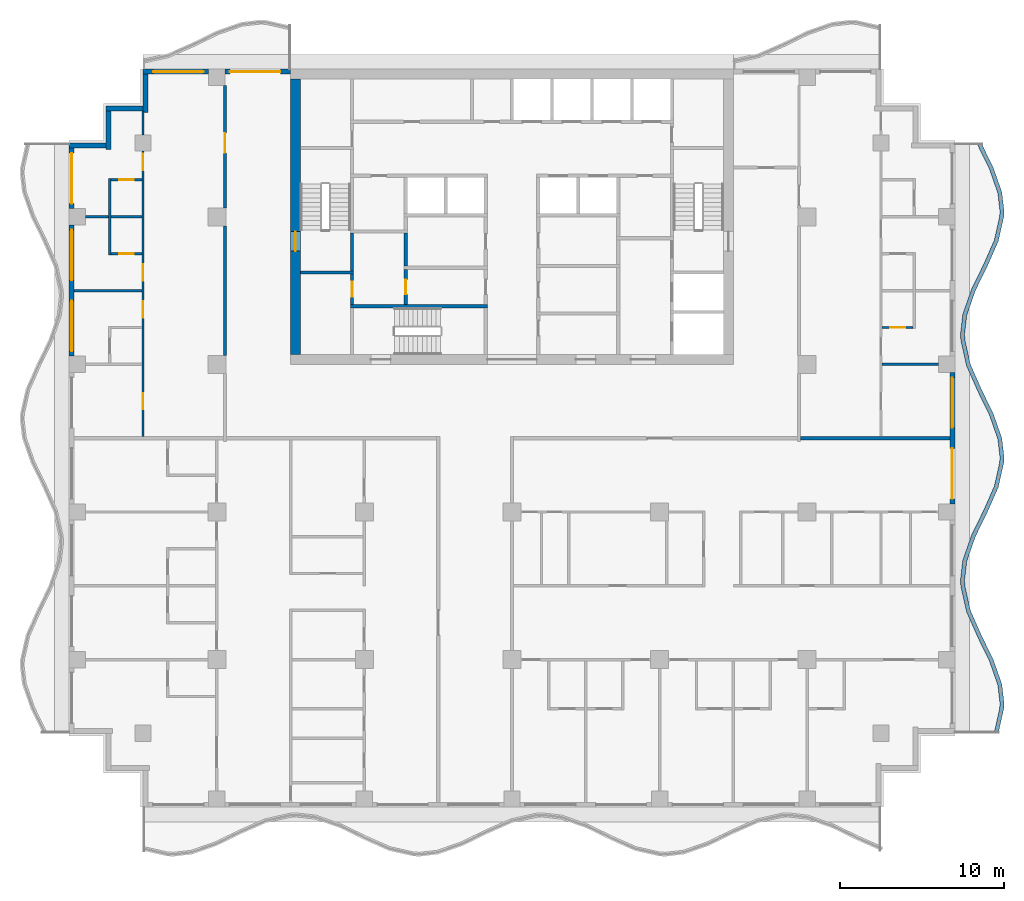
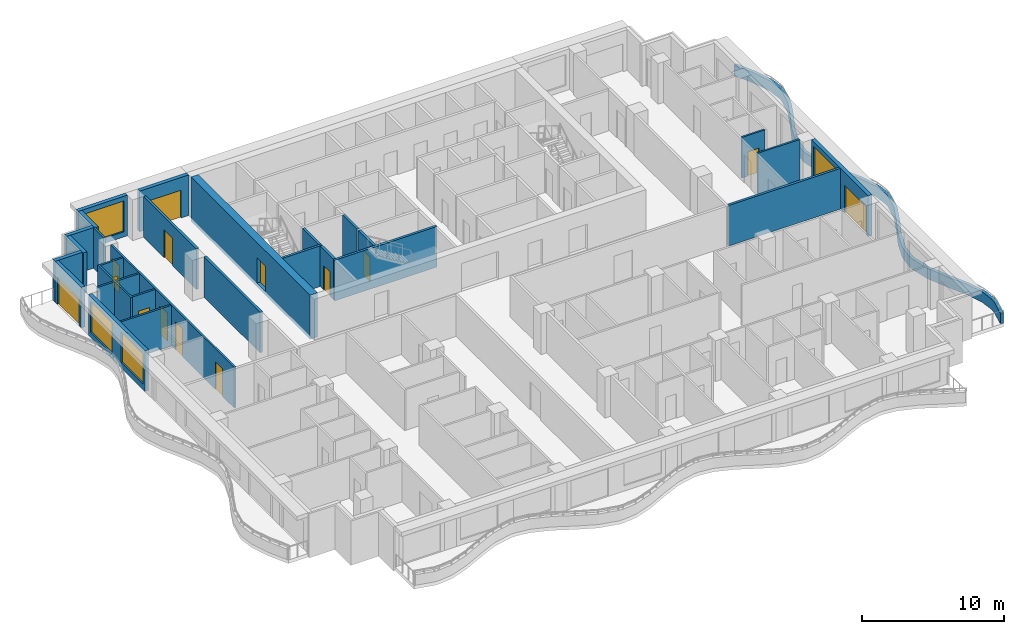
# One storey, part 5 of 12: 30 walls, 14 doors, 4 windows, 18 openings.
"""IFC4 building model written with IfcOpenShell, lengths in metres."""

import ifcopenshell
import ifcopenshell.guid

model = None  # the IFC model being written
_history = None  # IfcOwnerHistory: only IFC2X3 demands one
_inside = {}  # id of a spatial element -> (the spatial element, [elements in it])
_under = {}  # id of a project, library or spatial element -> (it, [spatial elements below it])
_declared = {}  # id of a project -> (the project, [libraries it declares])
_typed = {}  # id of a type object -> (the type object, [elements of that type])
_made_of = {}  # id of a material, layer set ... -> (it, [elements and type objects made of it])


def new_model(schema):
    """Start an empty IFC model of exactly this schema.

    Asked for "IFC4X3", IfcOpenShell would pick the latest addendum, in which some entities
    have other attributes; the version numbers below select the first issue.
    IFC2X3 requires an IfcOwnerHistory on every rooted entity: one is made here for all.
    """
    global model, _history
    if schema == "IFC4X3":
        model = ifcopenshell.file(schema_version=(4, 3, 0, 0))
    else:
        model = ifcopenshell.file(schema=schema)
    _inside.clear()
    _under.clear()
    _declared.clear()
    _typed.clear()
    _made_of.clear()
    _history = None
    if model.schema == "IFC2X3":
        org = make("IfcOrganization", Name="unknown")
        user = make(
            "IfcPersonAndOrganization",
            ThePerson=make("IfcPerson", FamilyName="unknown"),
            TheOrganization=org,
        )
        app = make(
            "IfcApplication",
            ApplicationDeveloper=org,
            Version="unknown",
            ApplicationFullName="unknown",
            ApplicationIdentifier="unknown",
        )
        _history = make(
            "IfcOwnerHistory",
            OwningUser=user,
            OwningApplication=app,
            ChangeAction="ADDED",
            CreationDate=0,
        )
    return model


def make(cls, **values):
    """One entity of the class cls with the attributes given. An attribute that is None is left unset."""
    return model.create_entity(
        cls, **{name: value for name, value in values.items() if value is not None}
    )


def rooted(cls, **values):
    """An entity with a GlobalId (a new one), such as an element, a storey or a relation."""
    return make(cls, GlobalId=ifcopenshell.guid.new(), OwnerHistory=_history, **values)


def si_unit(unit_type, name, prefix=None):
    """IfcSIUnit, for example si_unit("LENGTHUNIT", "METRE", prefix="MILLI")."""
    return make("IfcSIUnit", UnitType=unit_type, Prefix=prefix, Name=name)


def assignment(units):
    """IfcUnitAssignment: the units of a project."""
    return None if units is None else make("IfcUnitAssignment", Units=units)


def point(xyz):
    """IfcCartesianPoint."""
    return None if xyz is None else make("IfcCartesianPoint", Coordinates=xyz)


def direction(xyz):
    """IfcDirection."""
    return None if xyz is None else make("IfcDirection", DirectionRatios=xyz)


def frame(location, z_axis=None, x_axis=None):
    """IfcAxis2Placement3D, a coordinate frame: its origin and axes. An axis left out is left unset."""
    return make(
        "IfcAxis2Placement3D",
        Location=point(location),
        Axis=direction(z_axis),
        RefDirection=direction(x_axis),
    )


def frame_2d(location, x_axis=None):
    """IfcAxis2Placement2D, a coordinate frame in the plane: its origin and x axis."""
    return make(
        "IfcAxis2Placement2D", Location=point(location), RefDirection=direction(x_axis)
    )


def origin():
    """The frame at (0, 0, 0) with its axes left unset."""
    return frame((0.0, 0.0, 0.0))


def place(relative_to, where):
    """IfcLocalPlacement: puts the frame where relative to a parent placement (None: the world)."""
    return make(
        "IfcLocalPlacement", PlacementRelTo=relative_to, RelativePlacement=where
    )


def context(
    kind, dimensions, precision=None, world=None, true_north=None, identifier=None
):
    """IfcGeometricRepresentationContext, for example the 3D "Model" context."""
    return make(
        "IfcGeometricRepresentationContext",
        ContextIdentifier=identifier,
        ContextType=kind,
        CoordinateSpaceDimension=dimensions,
        Precision=precision,
        WorldCoordinateSystem=world,
        TrueNorth=true_north,
    )


def subcontext(parent, identifier, kind, view, scale=None):
    """IfcGeometricRepresentationSubContext, for example "Body" below "Model"."""
    return make(
        "IfcGeometricRepresentationSubContext",
        ContextIdentifier=identifier,
        ContextType=kind,
        ParentContext=parent,
        TargetScale=scale,
        TargetView=view,
    )


def project(units=None, contexts=None):
    """IfcProject with its units and contexts."""
    return rooted(
        "IfcProject",
        Name="project",
        RepresentationContexts=contexts,
        UnitsInContext=assignment(units),
    )


def spatial(cls, under=None, at=None, **own):
    """A site, building, storey or space (cls), placed at a placement, below another one or the project."""
    s = rooted(cls, ObjectPlacement=at, **own)
    if under is not None:
        _under.setdefault(under.id(), (under, []))[1].append(s)
    return s


def polyline(points):
    """IfcPolyline through the points."""
    return make("IfcPolyline", Points=[point(p) for p in points])


def profile(cls, at=None, kind="AREA", **sizes):
    """A parametric profile (cls). Its sizes go by their IFC names, for example OverallWidth=200.0."""
    return make(cls, ProfileType=kind, Position=at, **sizes)


def rectangle(**sizes):
    """IfcRectangleProfileDef."""
    return profile("IfcRectangleProfileDef", **sizes)


def outline(outer, holes=None, kind="AREA"):
    """IfcArbitraryClosedProfileDef: a profile drawn as a closed curve; with holes, ...WithVoids."""
    if holes is None:
        return make("IfcArbitraryClosedProfileDef", ProfileType=kind, OuterCurve=outer)
    return make(
        "IfcArbitraryProfileDefWithVoids",
        ProfileType=kind,
        OuterCurve=outer,
        InnerCurves=holes,
    )


def extrude(swept, where, along, depth):
    """IfcExtrudedAreaSolid: the profile swept, set in the frame where, extruded along a direction by depth."""
    return make(
        "IfcExtrudedAreaSolid",
        SweptArea=swept,
        Position=where,
        ExtrudedDirection=direction(along),
        Depth=depth,
    )


def shape(context_of_items, identifier, shape_type, items):
    """IfcShapeRepresentation: the items that make up one representation, for example the "Body"."""
    return make(
        "IfcShapeRepresentation",
        ContextOfItems=context_of_items,
        RepresentationIdentifier=identifier,
        RepresentationType=shape_type,
        Items=items,
    )


def material(Name=None, Category=None):
    """IfcMaterial."""
    return make("IfcMaterial", Name=Name, Category=Category)


def layer(
    of_material, thickness, ventilated=None, Name=None, Category=None, Priority=None
):
    """IfcMaterialLayer: one layer of a wall or slab, of a material (None: an air gap)."""
    return make(
        "IfcMaterialLayer",
        Material=of_material,
        LayerThickness=thickness,
        IsVentilated=ventilated,
        Name=Name,
        Category=Category,
        Priority=Priority,
    )


def layer_set(layers, Name=None):
    """IfcMaterialLayerSet."""
    return make("IfcMaterialLayerSet", MaterialLayers=layers, LayerSetName=Name)


def made_of(thing, what):
    """Note that an element or type object is made of a material, layer set ...; save() writes the relation."""
    if what is not None:
        _made_of.setdefault(what.id(), (what, []))[1].append(thing)
    return thing


def type_object(cls, material=None, **own):
    """A type object (cls), such as IfcWallType, which elements share."""
    return made_of(rooted(cls, **own), material)


def element(
    cls,
    number,
    at=None,
    inside=None,
    cuts=None,
    type_object=None,
    material=None,
    context=None,
    identifier="Body",
    shape_type=None,
    held_by="IfcProductDefinitionShape",
    body=None,
    shapes=None,
    **own,
):
    """One element of the class cls, such as IfcWall. Its Tag is "e" and its number.

    at: its placement. inside: the storey or other place that contains it. cuts: it is an
    opening in that element (IfcRelVoidsElement). A single representation is given by context,
    identifier, shape_type and body (its items); several are given by shapes. held_by: the class
    of the entity that holds the representations. save() writes the other relations.
    """
    e = rooted(cls, Tag="e%d" % number, ObjectPlacement=at, **own)
    if body is not None:
        shapes = [shape(context, identifier, shape_type, body)]
    if shapes is not None:
        e.Representation = make(held_by, Representations=shapes)
    if inside is not None:
        _inside.setdefault(inside.id(), (inside, []))[1].append(e)
    if cuts is not None:
        rooted(
            "IfcRelVoidsElement", RelatingBuildingElement=cuts, RelatedOpeningElement=e
        )
    if type_object is not None:
        _typed.setdefault(type_object.id(), (type_object, []))[1].append(e)
    return made_of(e, material)


def fill(opening, filler):
    """IfcRelFillsElement: the door or window that sits in an opening."""
    return rooted(
        "IfcRelFillsElement",
        RelatingOpeningElement=opening,
        RelatedBuildingElement=filler,
    )


def aggregate(whole, parts):
    """IfcRelAggregates: a whole, such as a stair, and the parts it consists of."""
    return rooted("IfcRelAggregates", RelatingObject=whole, RelatedObjects=parts)


def save(model, path):
    """Write the relations noted so far, then the file.

    IfcRelAggregates (storeys below a building ...), IfcRelContainedInSpatialStructure (elements
    in a storey), IfcRelDefinesByType, IfcRelAssociatesMaterial and IfcRelDeclares: one each for
    every whole, place, type object, material and project.
    """
    for whole, parts in _under.values():
        aggregate(whole, parts)
    for where, things in _inside.values():
        rooted(
            "IfcRelContainedInSpatialStructure",
            RelatedElements=things,
            RelatingStructure=where,
        )
    for kind, things in _typed.values():
        rooted("IfcRelDefinesByType", RelatedObjects=things, RelatingType=kind)
    for what, things in _made_of.values():
        rooted("IfcRelAssociatesMaterial", RelatedObjects=things, RelatingMaterial=what)
    for by, libraries in _declared.values():
        rooted("IfcRelDeclares", RelatingContext=by, RelatedDefinitions=libraries)
    model.write(path)


model = new_model("IFC4")

# Units and contexts
model_context = context("Model", 3, precision=1e-05, world=origin(), true_north=direction((0.0, 1.0)))
body_context = subcontext(model_context, "Body", "Model", "MODEL_VIEW")
ifc_project = project(units=[si_unit("LENGTHUNIT", "METRE"), si_unit("AREAUNIT", "SQUARE_METRE"), si_unit("VOLUMEUNIT", "CUBIC_METRE"), si_unit("PLANEANGLEUNIT", "RADIAN"), si_unit("MASSUNIT", "GRAM", prefix="KILO")], contexts=[model_context])

# Site, building, storey
site_placement = place(None, origin())
site = spatial("IfcSite", under=ifc_project, at=site_placement, CompositionType="ELEMENT")
building_placement = place(site_placement, origin())
building = spatial("IfcBuilding", under=site, at=building_placement, Name="Orbiselva Terraces", CompositionType="ELEMENT")
storey_placement = place(building_placement, frame((0.0, 0.0, 214.8)))
storey = spatial("IfcBuildingStorey", under=building, at=storey_placement, Name="L54", CompositionType="ELEMENT", Elevation=214.8)

# Wall, opening, door
ifc_material_1 = material(Name="Concrete C80/95", Category="concrete")
ifc_layer_1 = layer(ifc_material_1, 0.6)
ifc_layer_set_1 = layer_set([ifc_layer_1], Name="Concrete C80/95")
wall_type_1 = type_object("IfcWallType", Name="CORE WALL 600", PredefinedType="SHEAR", material=ifc_layer_set_1)
wall_1_placement = place(storey_placement, frame((-13.2, 21.9, -0.3), z_axis=(0.0, 0.0, 1.0), x_axis=(0.0, -1.0, 0.0)))
wall_1 = element("IfcWall", 1, at=wall_1_placement, inside=storey, type_object=wall_type_1, Name="Core wall L54 west", PredefinedType="SHEAR", context=body_context, shape_type="SweptSolid", body=[
    extrude(rectangle(XDim=16.8, YDim=0.6, at=frame_2d((8.4, 0.0))), origin(), (0.0, 0.0, 1.0), 3.8),
])
opening_1_placement = place(wall_1_placement, frame((9.3, 0.0, 0.3)))
opening_1 = element("IfcOpeningElement", 2, at=opening_1_placement, cuts=wall_1, Name="Opening DS1200", PredefinedType="OPENING", context=body_context, shape_type="SweptSolid", body=[
    extrude(rectangle(XDim=1.2, YDim=2.2, at=frame_2d((0.6, 1.1))), frame((0.0, 0.31, 0.0), z_axis=(0.0, -1.0, 0.0), x_axis=(1.0, 0.0, 0.0)), (0.0, 0.0, 1.0), 0.62),
])
ifc_material_2 = material(Name="Steel fire door", Category="steel")
door_type_1 = type_object("IfcDoorType", Name="STAIR DOOR 1200", OperationType="NOTDEFINED", PredefinedType="DOOR", material=ifc_material_2)
door_1_placement = place(opening_1_placement, frame((1.2, 0.0, 0.0), z_axis=(0.0, 0.0, 1.0), x_axis=(-1.0, 0.0, 0.0)))
door_1 = element("IfcDoor", 3, at=door_1_placement, inside=storey, type_object=door_type_1, Name="L54 EXIT STAIR S1 door", OperationType="SINGLE_SWING_RIGHT", OverallHeight=2.2, OverallWidth=1.2, PredefinedType="DOOR", context=body_context, shape_type="SweptSolid", body=[
    extrude(rectangle(XDim=1.2, YDim=2.2, at=frame_2d((0.6, 1.1))), frame((0.0, 0.025, 0.0), z_axis=(0.0, -1.0, 0.0), x_axis=(1.0, 0.0, 0.0)), (0.0, 0.0, 1.0), 0.05),
])
fill(opening_1, door_1)

ifc_material_3 = material(Name="Masonry blockwork", Category="masonry")
ifc_layer_2 = layer(ifc_material_3, 0.2)
ifc_layer_set_2 = layer_set([ifc_layer_2], Name="Masonry blockwork")
wall_type_2 = type_object("IfcWallType", Name="CORE-WALL-PARTITION-200", PredefinedType="PARTITIONING", material=ifc_layer_set_2)
wall_2_placement = place(storey_placement, frame((-9.75, 8.15, 0.0), z_axis=(0.0, 0.0, 1.0), x_axis=(0.0, 1.0, 0.0)))
wall_2 = element("IfcWall", 4, at=wall_2_placement, inside=storey, type_object=wall_type_2, Name="L54 core wall 05", PredefinedType="PARTITIONING", context=body_context, shape_type="SweptSolid", body=[
    extrude(rectangle(XDim=1.85, YDim=0.2, at=frame_2d((0.925, 0.0))), origin(), (0.0, 0.0, 1.0), 3.5),
])
opening_2_placement = place(wall_2_placement, frame((0.475, 0.0, 0.0)))
opening_2 = element("IfcOpeningElement", 5, at=opening_2_placement, cuts=wall_2, Name="Opening DR900", PredefinedType="OPENING", context=body_context, shape_type="SweptSolid", body=[
    extrude(rectangle(XDim=0.9, YDim=2.1, at=frame_2d((0.45, 1.05))), frame((0.0, 0.11, 0.0), z_axis=(0.0, -1.0, 0.0), x_axis=(1.0, 0.0, 0.0)), (0.0, 0.0, 1.0), 0.22),
])
door_type_2 = type_object("IfcDoorType", Name="ROOM DOOR 900", OperationType="NOTDEFINED", PredefinedType="DOOR", material=ifc_material_2)
door_2_placement = place(opening_2_placement, origin())
door_2 = element("IfcDoor", 6, at=door_2_placement, inside=storey, type_object=door_type_2, Name="L54 CLEANERS STORE door", OperationType="SINGLE_SWING_RIGHT", OverallHeight=2.1, OverallWidth=0.9, PredefinedType="DOOR", context=body_context, shape_type="SweptSolid", body=[
    extrude(rectangle(XDim=0.9, YDim=2.1, at=frame_2d((0.45, 1.05))), frame((0.0, 0.025, 0.0), z_axis=(0.0, -1.0, 0.0), x_axis=(1.0, 0.0, 0.0)), (0.0, 0.0, 1.0), 0.05),
])
fill(opening_2, door_2)

wall_3_placement = place(storey_placement, frame((-6.475, 8.15, 0.0), z_axis=(0.0, 0.0, 1.0), x_axis=(0.0, 1.0, 0.0)))
wall_3 = element("IfcWall", 7, at=wall_3_placement, inside=storey, type_object=wall_type_2, Name="L54 core wall 14", PredefinedType="PARTITIONING", context=body_context, shape_type="SweptSolid", body=[
    extrude(rectangle(XDim=2.15, YDim=0.2, at=frame_2d((1.075, 0.0))), origin(), (0.0, 0.0, 1.0), 3.5),
])
opening_3_placement = place(wall_3_placement, frame((0.625, 0.0, 0.0)))
opening_3 = element("IfcOpeningElement", 8, at=opening_3_placement, cuts=wall_3, Name="Opening DR900", PredefinedType="OPENING", context=body_context, shape_type="SweptSolid", body=[
    extrude(rectangle(XDim=0.9, YDim=2.1, at=frame_2d((0.45, 1.05))), frame((0.0, 0.11, 0.0), z_axis=(0.0, -1.0, 0.0), x_axis=(1.0, 0.0, 0.0)), (0.0, 0.0, 1.0), 0.22),
])
door_3_placement = place(opening_3_placement, origin())
door_3 = element("IfcDoor", 9, at=door_3_placement, inside=storey, type_object=door_type_2, Name="L54 STAFF ROOM door", OperationType="SINGLE_SWING_LEFT", OverallHeight=2.1, OverallWidth=0.9, PredefinedType="DOOR", context=body_context, shape_type="SweptSolid", body=[
    extrude(rectangle(XDim=0.9, YDim=2.1, at=frame_2d((0.45, 1.05))), frame((0.0, 0.025, 0.0), z_axis=(0.0, -1.0, 0.0), x_axis=(1.0, 0.0, 0.0)), (0.0, 0.0, 1.0), 0.05),
])
fill(opening_3, door_3)

# Walls
wall_4_placement = place(storey_placement, frame((-6.475, 10.5, 0.0), z_axis=(0.0, 0.0, 1.0), x_axis=(0.0, 1.0, 0.0)))
element("IfcWall", 10, at=wall_4_placement, inside=storey, type_object=wall_type_2, Name="L54 core wall 16", PredefinedType="PARTITIONING", context=body_context, shape_type="SweptSolid", body=[
    extrude(rectangle(XDim=2.0, YDim=0.2, at=frame_2d((1.0, 0.0))), origin(), (0.0, 0.0, 1.0), 3.5),
])
ifc_material_4 = material(Name="Concrete C60/75", Category="concrete")
ifc_layer_3 = layer(ifc_material_4, 0.2)
ifc_layer_set_3 = layer_set([ifc_layer_3], Name="Concrete C60/75")
wall_type_3 = type_object("IfcWallType", Name="CORE-WALL-SHEAR-200", PredefinedType="SHEAR", material=ifc_layer_set_3)
wall_5_placement = place(storey_placement, frame((-12.9, 10.1, 0.0), z_axis=(0.0, 0.0, 1.0), x_axis=(1.0, 0.0, 0.0)))
element("IfcWall", 11, at=wall_5_placement, inside=storey, type_object=wall_type_3, Name="L54 core wall 01", PredefinedType="SHEAR", context=body_context, shape_type="SweptSolid", body=[
    extrude(rectangle(XDim=3.25, YDim=0.2, at=frame_2d((1.625, 0.0))), origin(), (0.0, 0.0, 1.0), 3.5),
])
wall_6_placement = place(storey_placement, frame((-9.85, 8.05, 0.0), z_axis=(0.0, 0.0, 1.0), x_axis=(1.0, 0.0, 0.0)))
element("IfcWall", 12, at=wall_6_placement, inside=storey, type_object=wall_type_3, Name="L54 core wall 04", PredefinedType="SHEAR", context=body_context, shape_type="SweptSolid", body=[
    extrude(rectangle(XDim=8.35, YDim=0.2, at=frame_2d((4.175, 0.0))), origin(), (0.0, 0.0, 1.0), 3.5),
])
wall_7_placement = place(storey_placement, frame((-9.75, 10.2, 0.0), z_axis=(0.0, 0.0, 1.0), x_axis=(0.0, 1.0, 0.0)))
element("IfcWall", 13, at=wall_7_placement, inside=storey, type_object=wall_type_3, Name="L54 core wall 06", PredefinedType="SHEAR", context=body_context, shape_type="SweptSolid", body=[
    extrude(rectangle(XDim=2.3, YDim=0.2, at=frame_2d((1.15, 0.0))), origin(), (0.0, 0.0, 1.0), 3.5),
])
ifc_material_5 = material(Name="Concrete C40/50", Category="concrete")
ifc_layer_4 = layer(ifc_material_5, 0.25)
ifc_layer_set_4 = layer_set([ifc_layer_4], Name="Concrete C40/50")
wall_type_4 = type_object("IfcWallType", Name="ENV-PLANTER-250x900", PredefinedType="USERDEFINED", material=ifc_layer_set_4)
wall_8_placement = place(storey_placement, origin())
element("IfcWall", 14, at=wall_8_placement, inside=storey, type_object=wall_type_4, Name="Balcony planter L54 E", ObjectType="PLANTER", PredefinedType="USERDEFINED", context=body_context, shape_type="SweptSolid", body=[
    extrude(outline(polyline([(29.648528, -18.0), (29.985226, -16.5), (30.0, -16.125), (29.869208, -15.0), (29.344789, -13.5), (28.612279, -12.0), (27.951472, -10.5), (27.614774, -9.0), (27.6, -8.625), (27.730792, -7.5), (28.255211, -6.0), (28.987721, -4.5), (29.648528, -3.0), (29.985226, -1.5), (30.0, -1.125), (29.869208, 0.0), (29.344789, 1.5), (28.612279, 3.0), (27.951472, 4.5), (27.614774, 6.0), (27.6, 6.375), (27.730792, 7.5), (28.255211, 9.0), (28.987721, 10.5), (29.648528, 12.0), (29.985226, 13.5), (30.0, 13.875), (29.869208, 15.0), (29.344789, 16.5), (28.612279, 18.0), (28.387634, 17.890297), (29.113667, 16.40356), (29.624078, 14.943629), (29.749429, 13.865428), (29.736315, 13.532565), (29.40993, 12.078508), (28.760919, 10.605286), (28.024089, 9.09644), (27.485662, 7.556371), (27.349429, 6.384572), (27.365863, 5.967435), (27.712874, 4.421492), (28.385477, 2.894714), (29.113667, 1.40356), (29.624078, -0.056371), (29.749429, -1.134572), (29.736315, -1.467435), (29.40993, -2.921492), (28.760919, -4.394714), (28.024089, -5.90356), (27.485662, -7.443629), (27.349429, -8.615428), (27.365863, -9.032565), (27.712874, -10.578508), (28.385477, -12.105286), (29.113667, -13.59644), (29.624078, -15.056371), (29.749429, -16.134572), (29.736315, -16.467435), (29.404598, -17.945246), (29.648528, -18.0)])), origin(), (0.0, 0.0, 1.0), 0.9),
])

# Wall, openings, door, window
ifc_material_6 = material(Name="Terracotta cladding on masonry backing", Category="masonry")
ifc_layer_5 = layer(ifc_material_6, 0.3)
ifc_layer_set_5 = layer_set([ifc_layer_5], Name="Terracotta cladding on masonry backing")
wall_type_5 = type_object("IfcWallType", Name="ENV-WALL-TERRACOTTA-300", PredefinedType="SOLIDWALL", material=ifc_layer_set_5)
wall_9_placement = place(storey_placement, frame((26.85, 4.0, 0.0), z_axis=(0.0, 0.0, 1.0), x_axis=(0.0, -1.0, 0.0)))
wall_9 = element("IfcWall", 15, at=wall_9_placement, inside=storey, type_object=wall_type_5, Name="Facade wall L54 E", PredefinedType="SOLIDWALL", context=body_context, shape_type="SweptSolid", body=[
    extrude(rectangle(XDim=8.0, YDim=0.3, at=frame_2d((4.0, 0.0))), origin(), (0.0, 0.0, 1.0), 3.5),
])
opening_4_placement = place(wall_9_placement, frame((4.625, 0.0, 0.0)))
opening_4 = element("IfcOpeningElement", 16, at=opening_4_placement, cuts=wall_9, Name="Opening Z4-C-E20", PredefinedType="OPENING", context=body_context, shape_type="SweptSolid", body=[
    extrude(rectangle(XDim=3.075, YDim=2.4, at=frame_2d((1.5375, 1.2))), frame((0.0, 0.16, 0.0), z_axis=(0.0, -1.0, 0.0), x_axis=(1.0, 0.0, 0.0)), (0.0, 0.0, 1.0), 0.32),
])
opening_5_placement = place(wall_9_placement, frame((0.3, 0.0, 0.45)))
opening_5 = element("IfcOpeningElement", 17, at=opening_5_placement, cuts=wall_9, Name="Opening WN15", PredefinedType="OPENING", context=body_context, shape_type="SweptSolid", body=[
    extrude(rectangle(XDim=3.075, YDim=2.65, at=frame_2d((1.5375, 1.325))), frame((0.0, 0.16, 0.0), z_axis=(0.0, -1.0, 0.0), x_axis=(1.0, 0.0, 0.0)), (0.0, 0.0, 1.0), 0.32),
])
ifc_material_7 = material(Name="Clear low-e glazing in aluminium frame", Category="aluminium")
door_type_3 = type_object("IfcDoorType", Name="BALCONY DOOR 3075 X 2400", OperationType="DOUBLE_DOOR_SLIDING", PredefinedType="DOOR", material=ifc_material_7)
door_4_placement = place(opening_4_placement, origin())
door_4 = element("IfcDoor", 18, at=door_4_placement, inside=storey, type_object=door_type_3, Name="Z4-C-E20", OperationType="SINGLE_SWING_LEFT", OverallHeight=2.4, OverallWidth=3.075, PredefinedType="DOOR", context=body_context, shape_type="SweptSolid", body=[
    extrude(rectangle(XDim=3.075, YDim=2.4, at=frame_2d((1.5375, 1.2))), frame((0.0, 0.025, 0.0), z_axis=(0.0, -1.0, 0.0), x_axis=(1.0, 0.0, 0.0)), (0.0, 0.0, 1.0), 0.05),
])
fill(opening_4, door_4)
window_type = type_object("IfcWindowType", Name="WINDOW 3075 X 2650 S450", PartitioningType="TRIPLE_PANEL_VERTICAL", PredefinedType="WINDOW", material=ifc_material_7)
window_1_placement = place(opening_5_placement, origin())
window_1 = element("IfcWindow", 19, at=window_1_placement, inside=storey, type_object=window_type, Name="Window L54 E", OverallHeight=2.65, OverallWidth=3.075, PartitioningType="SINGLE_PANEL", PredefinedType="WINDOW", context=body_context, shape_type="SweptSolid", body=[
    extrude(rectangle(XDim=3.075, YDim=2.65, at=frame_2d((1.5375, 1.325))), frame((0.0, 0.03, 0.0), z_axis=(0.0, -1.0, 0.0), x_axis=(1.0, 0.0, 0.0)), (0.0, 0.0, 1.0), 0.06),
])
fill(opening_5, window_1)

# Wall, opening, door
wall_10_placement = place(storey_placement, frame((-17.5, 22.35, 0.0), z_axis=(0.0, 0.0, 1.0), x_axis=(1.0, 0.0, 0.0)))
wall_10 = element("IfcWall", 20, at=wall_10_placement, inside=storey, type_object=wall_type_5, Name="Facade wall L54 NW", PredefinedType="SOLIDWALL", context=body_context, shape_type="SweptSolid", body=[
    extrude(rectangle(XDim=4.0, YDim=0.3, at=frame_2d((2.0, 0.0))), origin(), (0.0, 0.0, 1.0), 3.5),
])
opening_6_placement = place(wall_10_placement, frame((0.3, 0.0, 0.0)))
opening_6 = element("IfcOpeningElement", 21, at=opening_6_placement, cuts=wall_10, Name="Opening Z4-C-E16", PredefinedType="OPENING", context=body_context, shape_type="SweptSolid", body=[
    extrude(rectangle(XDim=3.075, YDim=2.4, at=frame_2d((1.5375, 1.2))), frame((0.0, 0.16, 0.0), z_axis=(0.0, -1.0, 0.0), x_axis=(1.0, 0.0, 0.0)), (0.0, 0.0, 1.0), 0.32),
])
door_5_placement = place(opening_6_placement, origin())
door_5 = element("IfcDoor", 22, at=door_5_placement, inside=storey, type_object=door_type_3, Name="Z4-C-E16", OperationType="SINGLE_SWING_LEFT", OverallHeight=2.4, OverallWidth=3.075, PredefinedType="DOOR", context=body_context, shape_type="SweptSolid", body=[
    extrude(rectangle(XDim=3.075, YDim=2.4, at=frame_2d((1.5375, 1.2))), frame((0.0, 0.025, 0.0), z_axis=(0.0, -1.0, 0.0), x_axis=(1.0, 0.0, 0.0)), (0.0, 0.0, 1.0), 0.05),
])
fill(opening_6, door_5)

# Wall, opening, window
wall_11_placement = place(storey_placement, frame((-22.5, 22.35, 0.0), z_axis=(0.0, 0.0, 1.0), x_axis=(1.0, 0.0, 0.0)))
wall_11 = element("IfcWall", 23, at=wall_11_placement, inside=storey, type_object=wall_type_5, Name="Facade wall L54 NW", PredefinedType="SOLIDWALL", context=body_context, shape_type="SweptSolid", body=[
    extrude(rectangle(XDim=4.0, YDim=0.3, at=frame_2d((2.0, 0.0))), origin(), (0.0, 0.0, 1.0), 3.5),
])
opening_7_placement = place(wall_11_placement, frame((0.625, 0.0, 0.45)))
opening_7 = element("IfcOpeningElement", 24, at=opening_7_placement, cuts=wall_11, Name="Opening WN15", PredefinedType="OPENING", context=body_context, shape_type="SweptSolid", body=[
    extrude(rectangle(XDim=3.075, YDim=2.65, at=frame_2d((1.5375, 1.325))), frame((0.0, 0.16, 0.0), z_axis=(0.0, -1.0, 0.0), x_axis=(1.0, 0.0, 0.0)), (0.0, 0.0, 1.0), 0.32),
])
window_2_placement = place(opening_7_placement, origin())
window_2 = element("IfcWindow", 25, at=window_2_placement, inside=storey, type_object=window_type, Name="Window L54 NW", OverallHeight=2.65, OverallWidth=3.075, PartitioningType="SINGLE_PANEL", PredefinedType="WINDOW", context=body_context, shape_type="SweptSolid", body=[
    extrude(rectangle(XDim=3.075, YDim=2.65, at=frame_2d((1.5375, 1.325))), frame((0.0, 0.03, 0.0), z_axis=(0.0, -1.0, 0.0), x_axis=(1.0, 0.0, 0.0)), (0.0, 0.0, 1.0), 0.06),
])
fill(opening_7, window_2)

# Walls
wall_12_placement = place(storey_placement, frame((-22.35, 19.85, 0.0), z_axis=(0.0, 0.0, 1.0), x_axis=(0.0, 1.0, 0.0)))
element("IfcWall", 26, at=wall_12_placement, inside=storey, type_object=wall_type_5, Name="Facade wall L54 STEP", PredefinedType="SOLIDWALL", context=body_context, shape_type="SweptSolid", body=[
    extrude(rectangle(XDim=2.35, YDim=0.3, at=frame_2d((1.175, 0.0))), origin(), (0.0, 0.0, 1.0), 3.5),
])
wall_13_placement = place(storey_placement, frame((-24.75, 20.1, 0.0), z_axis=(0.0, 0.0, 1.0), x_axis=(1.0, 0.0, 0.0)))
element("IfcWall", 27, at=wall_13_placement, inside=storey, type_object=wall_type_5, Name="Facade wall L54 STEP", PredefinedType="SOLIDWALL", context=body_context, shape_type="SweptSolid", body=[
    extrude(rectangle(XDim=2.25, YDim=0.3, at=frame_2d((1.125, 0.0))), origin(), (0.0, 0.0, 1.0), 3.5),
])
wall_14_placement = place(storey_placement, frame((-24.6, 17.6, 0.0), z_axis=(0.0, 0.0, 1.0), x_axis=(0.0, 1.0, 0.0)))
element("IfcWall", 28, at=wall_14_placement, inside=storey, type_object=wall_type_5, Name="Facade wall L54 STEP", PredefinedType="SOLIDWALL", context=body_context, shape_type="SweptSolid", body=[
    extrude(rectangle(XDim=2.35, YDim=0.3, at=frame_2d((1.175, 0.0))), origin(), (0.0, 0.0, 1.0), 3.5),
])
wall_15_placement = place(storey_placement, frame((-27.0, 17.85, 0.0), z_axis=(0.0, 0.0, 1.0), x_axis=(1.0, 0.0, 0.0)))
element("IfcWall", 29, at=wall_15_placement, inside=storey, type_object=wall_type_5, Name="Facade wall L54 STEP", PredefinedType="SOLIDWALL", context=body_context, shape_type="SweptSolid", body=[
    extrude(rectangle(XDim=2.25, YDim=0.3, at=frame_2d((1.125, 0.0))), origin(), (0.0, 0.0, 1.0), 3.5),
])

# Wall, opening, door
wall_16_placement = place(storey_placement, frame((-26.85, 14.0, 0.0), z_axis=(0.0, 0.0, 1.0), x_axis=(0.0, 1.0, 0.0)))
wall_16 = element("IfcWall", 30, at=wall_16_placement, inside=storey, type_object=wall_type_5, Name="Facade wall L54 W", PredefinedType="SOLIDWALL", context=body_context, shape_type="SweptSolid", body=[
    extrude(rectangle(XDim=3.7, YDim=0.3, at=frame_2d((1.85, 0.0))), origin(), (0.0, 0.0, 1.0), 3.5),
])
opening_8_placement = place(wall_16_placement, frame((0.3, 0.0, 0.0)))
opening_8 = element("IfcOpeningElement", 31, at=opening_8_placement, cuts=wall_16, Name="Opening Z4-C-E17", PredefinedType="OPENING", context=body_context, shape_type="SweptSolid", body=[
    extrude(rectangle(XDim=3.075, YDim=2.4, at=frame_2d((1.5375, 1.2))), frame((0.0, 0.16, 0.0), z_axis=(0.0, -1.0, 0.0), x_axis=(1.0, 0.0, 0.0)), (0.0, 0.0, 1.0), 0.32),
])
door_6_placement = place(opening_8_placement, origin())
door_6 = element("IfcDoor", 32, at=door_6_placement, inside=storey, type_object=door_type_3, Name="Z4-C-E17", OperationType="SINGLE_SWING_LEFT", OverallHeight=2.4, OverallWidth=3.075, PredefinedType="DOOR", context=body_context, shape_type="SweptSolid", body=[
    extrude(rectangle(XDim=3.075, YDim=2.4, at=frame_2d((1.5375, 1.2))), frame((0.0, 0.025, 0.0), z_axis=(0.0, -1.0, 0.0), x_axis=(1.0, 0.0, 0.0)), (0.0, 0.0, 1.0), 0.05),
])
fill(opening_8, door_6)

# Wall, openings, windows
wall_17_placement = place(storey_placement, frame((-26.85, 5.0, 0.0), z_axis=(0.0, 0.0, 1.0), x_axis=(0.0, 1.0, 0.0)))
wall_17 = element("IfcWall", 33, at=wall_17_placement, inside=storey, type_object=wall_type_5, Name="Facade wall L54 W", PredefinedType="SOLIDWALL", context=body_context, shape_type="SweptSolid", body=[
    extrude(rectangle(XDim=8.0, YDim=0.3, at=frame_2d((4.0, 0.0))), origin(), (0.0, 0.0, 1.0), 3.5),
])
opening_9_placement = place(wall_17_placement, frame((4.625, 0.0, 0.45)))
opening_9 = element("IfcOpeningElement", 34, at=opening_9_placement, cuts=wall_17, Name="Opening WN15", PredefinedType="OPENING", context=body_context, shape_type="SweptSolid", body=[
    extrude(rectangle(XDim=3.075, YDim=2.65, at=frame_2d((1.5375, 1.325))), frame((0.0, 0.16, 0.0), z_axis=(0.0, -1.0, 0.0), x_axis=(1.0, 0.0, 0.0)), (0.0, 0.0, 1.0), 0.32),
])
opening_10_placement = place(wall_17_placement, frame((0.3, 0.0, 0.45)))
opening_10 = element("IfcOpeningElement", 35, at=opening_10_placement, cuts=wall_17, Name="Opening WN15", PredefinedType="OPENING", context=body_context, shape_type="SweptSolid", body=[
    extrude(rectangle(XDim=3.075, YDim=2.65, at=frame_2d((1.5375, 1.325))), frame((0.0, 0.16, 0.0), z_axis=(0.0, -1.0, 0.0), x_axis=(1.0, 0.0, 0.0)), (0.0, 0.0, 1.0), 0.32),
])
window_3_placement = place(opening_9_placement, origin())
window_3 = element("IfcWindow", 36, at=window_3_placement, inside=storey, type_object=window_type, Name="Window L54 W", OverallHeight=2.65, OverallWidth=3.075, PartitioningType="SINGLE_PANEL", PredefinedType="WINDOW", context=body_context, shape_type="SweptSolid", body=[
    extrude(rectangle(XDim=3.075, YDim=2.65, at=frame_2d((1.5375, 1.325))), frame((0.0, 0.03, 0.0), z_axis=(0.0, -1.0, 0.0), x_axis=(1.0, 0.0, 0.0)), (0.0, 0.0, 1.0), 0.06),
])
fill(opening_9, window_3)
window_4_placement = place(opening_10_placement, origin())
window_4 = element("IfcWindow", 37, at=window_4_placement, inside=storey, type_object=window_type, Name="Window L54 W", OverallHeight=2.65, OverallWidth=3.075, PartitioningType="SINGLE_PANEL", PredefinedType="WINDOW", context=body_context, shape_type="SweptSolid", body=[
    extrude(rectangle(XDim=3.075, YDim=2.65, at=frame_2d((1.5375, 1.325))), frame((0.0, 0.03, 0.0), z_axis=(0.0, -1.0, 0.0), x_axis=(1.0, 0.0, 0.0)), (0.0, 0.0, 1.0), 0.06),
])
fill(opening_10, window_4)

# Wall
ifc_material_8 = material(Name="Plasterboard on steel stud partition", Category="steel")
ifc_layer_6 = layer(ifc_material_8, 0.2)
ifc_layer_set_6 = layer_set([ifc_layer_6], Name="Plasterboard on steel stud partition")
wall_type_6 = type_object("IfcWallType", Name="UNIT-ENTRANCE-WALL-200", PredefinedType="PARTITIONING", material=ifc_layer_set_6)
wall_18_placement = place(storey_placement, frame((-17.5, 5.05, 0.0), z_axis=(0.0, 0.0, 1.0), x_axis=(0.0, 1.0, 0.0)))
element("IfcWall", 38, at=wall_18_placement, inside=storey, type_object=wall_type_6, Name="PARTITION L54-060", PredefinedType="PARTITIONING", context=body_context, shape_type="SweptSolid", body=[
    extrude(rectangle(XDim=7.9, YDim=0.2, at=frame_2d((3.95, 0.0))), origin(), (0.0, 0.0, 1.0), 3.5),
])

# Wall, opening, door
wall_19_placement = place(storey_placement, frame((-17.5, 14.05, 0.0), z_axis=(0.0, 0.0, 1.0), x_axis=(0.0, 1.0, 0.0)))
wall_19 = element("IfcWall", 39, at=wall_19_placement, inside=storey, type_object=wall_type_6, Name="PARTITION L54-061", PredefinedType="PARTITIONING", context=body_context, shape_type="SweptSolid", body=[
    extrude(rectangle(XDim=7.45, YDim=0.2, at=frame_2d((3.725, 0.0))), origin(), (0.0, 0.0, 1.0), 3.5),
])
opening_11_placement = place(wall_19_placement, frame((3.35, 0.0, 0.0)))
opening_11 = element("IfcOpeningElement", 40, at=opening_11_placement, cuts=wall_19, Name="Opening Z4-C-02", PredefinedType="OPENING", context=body_context, shape_type="SweptSolid", body=[
    extrude(rectangle(XDim=1.2, YDim=2.4, at=frame_2d((0.6, 1.2))), frame((0.0, 0.11, 0.0), z_axis=(0.0, -1.0, 0.0), x_axis=(1.0, 0.0, 0.0)), (0.0, 0.0, 1.0), 0.22),
])
ifc_material_9 = material(Name="Painted timber door leaf", Category="wood")
door_type_4 = type_object("IfcDoorType", Name="ENTRANCE DOOR 1200", OperationType="NOTDEFINED", PredefinedType="DOOR", material=ifc_material_9)
door_7_placement = place(opening_11_placement, origin())
door_7 = element("IfcDoor", 41, at=door_7_placement, inside=storey, type_object=door_type_4, Name="Z4-C-02", OperationType="SINGLE_SWING_RIGHT", OverallHeight=2.4, OverallWidth=1.2, PredefinedType="DOOR", context=body_context, shape_type="SweptSolid", body=[
    extrude(rectangle(XDim=1.2, YDim=2.4, at=frame_2d((0.6, 1.2))), frame((0.0, 0.025, 0.0), z_axis=(0.0, -1.0, 0.0), x_axis=(1.0, 0.0, 0.0)), (0.0, 0.0, 1.0), 0.05),
])
fill(opening_11, door_7)

# Wall
ifc_layer_7 = layer(ifc_material_8, 0.15)
ifc_layer_set_7 = layer_set([ifc_layer_7], Name="Plasterboard on steel stud partition")
wall_type_7 = type_object("IfcWallType", Name="UNIT-PARTITION-150", PredefinedType="PARTITIONING", material=ifc_layer_set_7)
wall_20_placement = place(storey_placement, frame((22.575, 4.5, 0.0), z_axis=(0.0, 0.0, 1.0), x_axis=(1.0, 0.0, 0.0)))
element("IfcWall", 42, at=wall_20_placement, inside=storey, type_object=wall_type_7, Name="PARTITION L54-035", PredefinedType="PARTITIONING", context=body_context, shape_type="SweptSolid", body=[
    extrude(rectangle(XDim=3.425, YDim=0.15, at=frame_2d((1.7125, 0.0))), origin(), (0.0, 0.0, 1.0), 3.5),
])

# Wall, opening, door
wall_21_placement = place(storey_placement, frame((22.575, 6.75, 0.0), z_axis=(0.0, 0.0, 1.0), x_axis=(1.0, 0.0, 0.0)))
wall_21 = element("IfcWall", 43, at=wall_21_placement, inside=storey, type_object=wall_type_7, Name="PARTITION L54-037", PredefinedType="PARTITIONING", context=body_context, shape_type="SweptSolid", body=[
    extrude(rectangle(XDim=1.875, YDim=0.15, at=frame_2d((0.9375, 0.0))), origin(), (0.0, 0.0, 1.0), 3.5),
])
opening_12_placement = place(wall_21_placement, frame((0.5, 0.0, 0.0)))
opening_12 = element("IfcOpeningElement", 44, at=opening_12_placement, cuts=wall_21, Name="Opening Z4-C-13", PredefinedType="OPENING", context=body_context, shape_type="SweptSolid", body=[
    extrude(rectangle(XDim=0.9, YDim=2.1, at=frame_2d((0.45, 1.05))), frame((0.0, 0.085, 0.0), z_axis=(0.0, -1.0, 0.0), x_axis=(1.0, 0.0, 0.0)), (0.0, 0.0, 1.0), 0.17),
])
door_type_5 = type_object("IfcDoorType", Name="BATH DOOR 900", OperationType="NOTDEFINED", PredefinedType="DOOR", material=ifc_material_9)
door_8_placement = place(opening_12_placement, origin())
door_8 = element("IfcDoor", 45, at=door_8_placement, inside=storey, type_object=door_type_5, Name="Z4-C-13", OperationType="SINGLE_SWING_RIGHT", OverallHeight=2.1, OverallWidth=0.9, PredefinedType="DOOR", context=body_context, shape_type="SweptSolid", body=[
    extrude(rectangle(XDim=0.9, YDim=2.1, at=frame_2d((0.45, 1.05))), frame((0.0, 0.025, 0.0), z_axis=(0.0, -1.0, 0.0), x_axis=(1.0, 0.0, 0.0)), (0.0, 0.0, 1.0), 0.05),
])
fill(opening_12, door_8)

# Wall
wall_22_placement = place(storey_placement, frame((-26.7, 9.0, 0.0), z_axis=(0.0, 0.0, 1.0), x_axis=(1.0, 0.0, 0.0)))
element("IfcWall", 46, at=wall_22_placement, inside=storey, type_object=wall_type_7, Name="PARTITION L54-038", PredefinedType="PARTITIONING", context=body_context, shape_type="SweptSolid", body=[
    extrude(rectangle(XDim=4.125, YDim=0.15, at=frame_2d((2.0625, 0.0))), origin(), (0.0, 0.0, 1.0), 3.5),
])

# Wall, opening, door
wall_23_placement = place(storey_placement, frame((-24.45, 11.25, 0.0), z_axis=(0.0, 0.0, 1.0), x_axis=(1.0, 0.0, 0.0)))
wall_23 = element("IfcWall", 47, at=wall_23_placement, inside=storey, type_object=wall_type_7, Name="PARTITION L54-041", PredefinedType="PARTITIONING", context=body_context, shape_type="SweptSolid", body=[
    extrude(rectangle(XDim=1.875, YDim=0.15, at=frame_2d((0.9375, 0.0))), origin(), (0.0, 0.0, 1.0), 3.5),
])
opening_13_placement = place(wall_23_placement, frame((0.5, 0.0, 0.0)))
opening_13 = element("IfcOpeningElement", 48, at=opening_13_placement, cuts=wall_23, Name="Opening Z4-C-07", PredefinedType="OPENING", context=body_context, shape_type="SweptSolid", body=[
    extrude(rectangle(XDim=0.9, YDim=2.1, at=frame_2d((0.45, 1.05))), frame((0.0, 0.085, 0.0), z_axis=(0.0, -1.0, 0.0), x_axis=(1.0, 0.0, 0.0)), (0.0, 0.0, 1.0), 0.17),
])
door_9_placement = place(opening_13_placement, origin())
door_9 = element("IfcDoor", 49, at=door_9_placement, inside=storey, type_object=door_type_5, Name="Z4-C-07", OperationType="SINGLE_SWING_RIGHT", OverallHeight=2.1, OverallWidth=0.9, PredefinedType="DOOR", context=body_context, shape_type="SweptSolid", body=[
    extrude(rectangle(XDim=0.9, YDim=2.1, at=frame_2d((0.45, 1.05))), frame((0.0, 0.025, 0.0), z_axis=(0.0, -1.0, 0.0), x_axis=(1.0, 0.0, 0.0)), (0.0, 0.0, 1.0), 0.05),
])
fill(opening_13, door_9)

# Walls
wall_24_placement = place(storey_placement, frame((-26.0, 13.5, 0.0), z_axis=(0.0, 0.0, 1.0), x_axis=(1.0, 0.0, 0.0)))
element("IfcWall", 50, at=wall_24_placement, inside=storey, type_object=wall_type_7, Name="PARTITION L54-043", PredefinedType="PARTITIONING", context=body_context, shape_type="SweptSolid", body=[
    extrude(rectangle(XDim=1.4, YDim=0.15, at=frame_2d((0.7, 0.0))), origin(), (0.0, 0.0, 1.0), 3.5),
])
wall_25_placement = place(storey_placement, frame((-24.45, 13.5, 0.0), z_axis=(0.0, 0.0, 1.0), x_axis=(1.0, 0.0, 0.0)))
element("IfcWall", 51, at=wall_25_placement, inside=storey, type_object=wall_type_7, Name="PARTITION L54-044", PredefinedType="PARTITIONING", context=body_context, shape_type="SweptSolid", body=[
    extrude(rectangle(XDim=1.875, YDim=0.15, at=frame_2d((0.9375, 0.0))), origin(), (0.0, 0.0, 1.0), 3.5),
])

# Wall, opening, door
wall_26_placement = place(storey_placement, frame((-22.575, 15.75, 0.0), z_axis=(0.0, 0.0, 1.0), x_axis=(-1.0, 0.0, 0.0)))
wall_26 = element("IfcWall", 52, at=wall_26_placement, inside=storey, type_object=wall_type_7, Name="PARTITION L54-046", PredefinedType="PARTITIONING", context=body_context, shape_type="SweptSolid", body=[
    extrude(rectangle(XDim=1.875, YDim=0.15, at=frame_2d((0.9375, 0.0))), origin(), (0.0, 0.0, 1.0), 3.5),
])
opening_14_placement = place(wall_26_placement, frame((0.475, 0.0, 0.0)))
opening_14 = element("IfcOpeningElement", 53, at=opening_14_placement, cuts=wall_26, Name="Opening Z4-C-09", PredefinedType="OPENING", context=body_context, shape_type="SweptSolid", body=[
    extrude(rectangle(XDim=0.9, YDim=2.1, at=frame_2d((0.45, 1.05))), frame((0.0, 0.085, 0.0), z_axis=(0.0, -1.0, 0.0), x_axis=(1.0, 0.0, 0.0)), (0.0, 0.0, 1.0), 0.17),
])
door_10_placement = place(opening_14_placement, origin())
door_10 = element("IfcDoor", 54, at=door_10_placement, inside=storey, type_object=door_type_5, Name="Z4-C-09", OperationType="SINGLE_SWING_LEFT", OverallHeight=2.1, OverallWidth=0.9, PredefinedType="DOOR", context=body_context, shape_type="SweptSolid", body=[
    extrude(rectangle(XDim=0.9, YDim=2.1, at=frame_2d((0.45, 1.05))), frame((0.0, 0.025, 0.0), z_axis=(0.0, -1.0, 0.0), x_axis=(1.0, 0.0, 0.0)), (0.0, 0.0, 1.0), 0.05),
])
fill(opening_14, door_10)

# Wall
wall_27_placement = place(storey_placement, frame((-24.525, 11.175, 0.0), z_axis=(0.0, 0.0, 1.0), x_axis=(0.0, 1.0, 0.0)))
element("IfcWall", 55, at=wall_27_placement, inside=storey, type_object=wall_type_7, Name="PARTITION L54-050", PredefinedType="PARTITIONING", context=body_context, shape_type="SweptSolid", body=[
    extrude(rectangle(XDim=4.65, YDim=0.15, at=frame_2d((2.325, 0.0))), origin(), (0.0, 0.0, 1.0), 3.5),
])

# Wall, openings, doors
wall_28_placement = place(storey_placement, frame((-22.5, 0.1, 0.0), z_axis=(0.0, 0.0, 1.0), x_axis=(0.0, 1.0, 0.0)))
wall_28 = element("IfcWall", 56, at=wall_28_placement, inside=storey, type_object=wall_type_7, Name="PARTITION L54-051", PredefinedType="PARTITIONING", context=body_context, shape_type="SweptSolid", body=[
    extrude(rectangle(XDim=17.4, YDim=0.15, at=frame_2d((8.7, 0.0))), origin(), (0.0, 0.0, 1.0), 3.5),
])
opening_15_placement = place(wall_28_placement, frame((1.65, 0.0, 0.0)))
opening_15 = element("IfcOpeningElement", 57, at=opening_15_placement, cuts=wall_28, Name="Opening Z4-C-03", PredefinedType="OPENING", context=body_context, shape_type="SweptSolid", body=[
    extrude(rectangle(XDim=1.0, YDim=2.4, at=frame_2d((0.5, 1.2))), frame((0.0, 0.085, 0.0), z_axis=(0.0, -1.0, 0.0), x_axis=(1.0, 0.0, 0.0)), (0.0, 0.0, 1.0), 0.17),
])
opening_16_placement = place(wall_28_placement, frame((7.25, 0.0, 0.0)))
opening_16 = element("IfcOpeningElement", 58, at=opening_16_placement, cuts=wall_28, Name="Opening Z4-C-04", PredefinedType="OPENING", context=body_context, shape_type="SweptSolid", body=[
    extrude(rectangle(XDim=1.0, YDim=2.4, at=frame_2d((0.5, 1.2))), frame((0.0, 0.085, 0.0), z_axis=(0.0, -1.0, 0.0), x_axis=(1.0, 0.0, 0.0)), (0.0, 0.0, 1.0), 0.17),
])
opening_17_placement = place(wall_28_placement, frame((9.5, 0.0, 0.0)))
opening_17 = element("IfcOpeningElement", 59, at=opening_17_placement, cuts=wall_28, Name="Opening Z4-C-06", PredefinedType="OPENING", context=body_context, shape_type="SweptSolid", body=[
    extrude(rectangle(XDim=1.0, YDim=2.4, at=frame_2d((0.5, 1.2))), frame((0.0, 0.085, 0.0), z_axis=(0.0, -1.0, 0.0), x_axis=(1.0, 0.0, 0.0)), (0.0, 0.0, 1.0), 0.17),
])
opening_18_placement = place(wall_28_placement, frame((16.25, 0.0, 0.0)))
opening_18 = element("IfcOpeningElement", 60, at=opening_18_placement, cuts=wall_28, Name="Opening Z4-C-08", PredefinedType="OPENING", context=body_context, shape_type="SweptSolid", body=[
    extrude(rectangle(XDim=1.0, YDim=2.4, at=frame_2d((0.5, 1.2))), frame((0.0, 0.085, 0.0), z_axis=(0.0, -1.0, 0.0), x_axis=(1.0, 0.0, 0.0)), (0.0, 0.0, 1.0), 0.17),
])
door_type_6 = type_object("IfcDoorType", Name="ROOM DOOR 1000", OperationType="NOTDEFINED", PredefinedType="DOOR", material=ifc_material_9)
door_11_placement = place(opening_15_placement, origin())
door_11 = element("IfcDoor", 61, at=door_11_placement, inside=storey, type_object=door_type_6, Name="Z4-C-03", OperationType="SINGLE_SWING_LEFT", OverallHeight=2.4, OverallWidth=1.0, PredefinedType="DOOR", context=body_context, shape_type="SweptSolid", body=[
    extrude(rectangle(XDim=1.0, YDim=2.4, at=frame_2d((0.5, 1.2))), frame((0.0, 0.025, 0.0), z_axis=(0.0, -1.0, 0.0), x_axis=(1.0, 0.0, 0.0)), (0.0, 0.0, 1.0), 0.05),
])
fill(opening_15, door_11)
door_12_placement = place(opening_16_placement, origin())
door_12 = element("IfcDoor", 62, at=door_12_placement, inside=storey, type_object=door_type_6, Name="Z4-C-04", OperationType="SINGLE_SWING_LEFT", OverallHeight=2.4, OverallWidth=1.0, PredefinedType="DOOR", context=body_context, shape_type="SweptSolid", body=[
    extrude(rectangle(XDim=1.0, YDim=2.4, at=frame_2d((0.5, 1.2))), frame((0.0, 0.025, 0.0), z_axis=(0.0, -1.0, 0.0), x_axis=(1.0, 0.0, 0.0)), (0.0, 0.0, 1.0), 0.05),
])
fill(opening_16, door_12)
door_13_placement = place(opening_17_placement, origin())
door_13 = element("IfcDoor", 63, at=door_13_placement, inside=storey, type_object=door_type_6, Name="Z4-C-06", OperationType="SINGLE_SWING_RIGHT", OverallHeight=2.4, OverallWidth=1.0, PredefinedType="DOOR", context=body_context, shape_type="SweptSolid", body=[
    extrude(rectangle(XDim=1.0, YDim=2.4, at=frame_2d((0.5, 1.2))), frame((0.0, 0.025, 0.0), z_axis=(0.0, -1.0, 0.0), x_axis=(1.0, 0.0, 0.0)), (0.0, 0.0, 1.0), 0.05),
])
fill(opening_17, door_13)
door_14_placement = place(opening_18_placement, origin())
door_14 = element("IfcDoor", 64, at=door_14_placement, inside=storey, type_object=door_type_6, Name="Z4-C-08", OperationType="SINGLE_SWING_RIGHT", OverallHeight=2.4, OverallWidth=1.0, PredefinedType="DOOR", context=body_context, shape_type="SweptSolid", body=[
    extrude(rectangle(XDim=1.0, YDim=2.4, at=frame_2d((0.5, 1.2))), frame((0.0, 0.025, 0.0), z_axis=(0.0, -1.0, 0.0), x_axis=(1.0, 0.0, 0.0)), (0.0, 0.0, 1.0), 0.05),
])
fill(opening_18, door_14)

# Walls
wall_29_placement = place(storey_placement, frame((-22.5, 18.5, 0.0), z_axis=(0.0, 0.0, 1.0), x_axis=(0.0, 1.0, 0.0)))
element("IfcWall", 65, at=wall_29_placement, inside=storey, type_object=wall_type_7, Name="PARTITION L54-052", PredefinedType="PARTITIONING", context=body_context, shape_type="SweptSolid", body=[
    extrude(rectangle(XDim=1.45, YDim=0.15, at=frame_2d((0.725, 0.0))), origin(), (0.0, 0.0, 1.0), 3.5),
])
ifc_layer_8 = layer(ifc_material_8, 0.2)
ifc_layer_set_8 = layer_set([ifc_layer_8], Name="Plasterboard on steel stud partition")
wall_type_8 = type_object("IfcWallType", Name="UNIT-PARTY-WALL-200", PredefinedType="PARTITIONING", material=ifc_layer_set_8)
wall_30_placement = place(storey_placement, frame((17.6, 0.0, 0.0), z_axis=(0.0, 0.0, 1.0), x_axis=(1.0, 0.0, 0.0)))
element("IfcWall", 66, at=wall_30_placement, inside=storey, type_object=wall_type_8, Name="PARTITION L54-033", PredefinedType="PARTITIONING", context=body_context, shape_type="SweptSolid", body=[
    extrude(rectangle(XDim=9.1, YDim=0.2, at=frame_2d((4.55, 0.0))), origin(), (0.0, 0.0, 1.0), 3.5),
])

save(model, "model.ifc")
